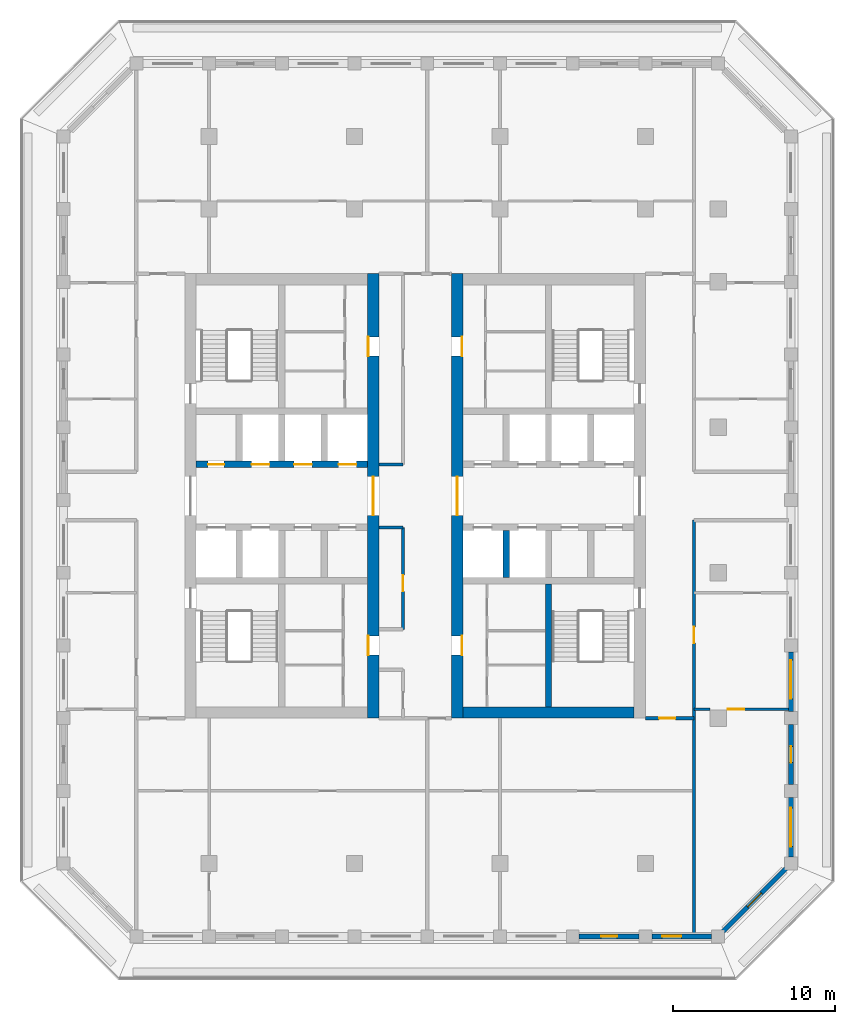
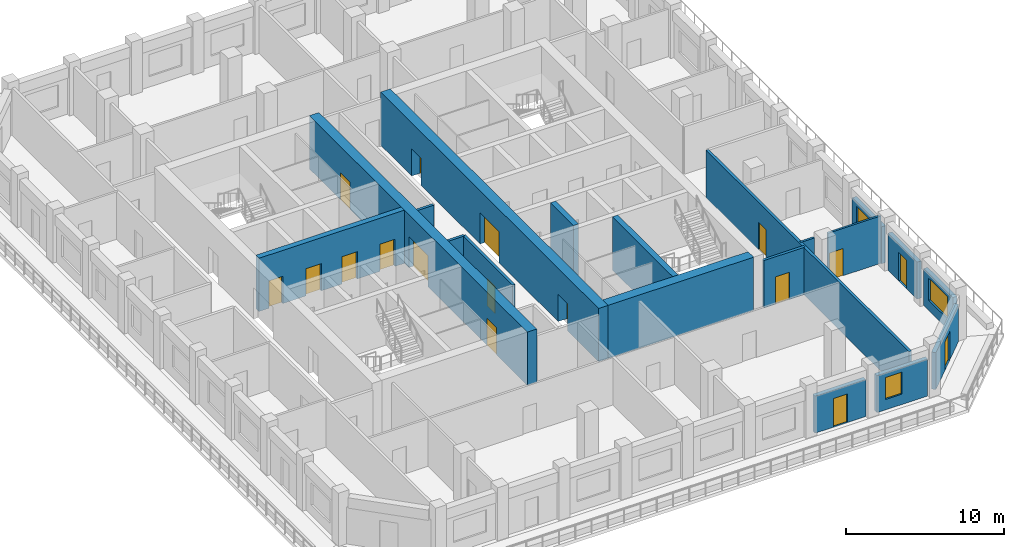
# One storey, part 4 of 17: 19 walls, 17 doors, 3 windows, 20 openings.
"""IFC4 building model written with IfcOpenShell, lengths in metres."""

from ifc_helpers import new_model, si_unit, direction, frame, frame_2d, origin, place, context, subcontext, project, spatial, rectangle, extrude, material, layer, layer_set, type_object, element, fill, save


model = new_model("IFC4")

# Units and contexts
model_context = context("Model", 3, precision=1e-05, world=origin(), true_north=direction((0.0, 1.0)))
body_context = subcontext(model_context, "Body", "Model", "MODEL_VIEW")
ifc_project = project(units=[si_unit("LENGTHUNIT", "METRE"), si_unit("AREAUNIT", "SQUARE_METRE"), si_unit("VOLUMEUNIT", "CUBIC_METRE"), si_unit("PLANEANGLEUNIT", "RADIAN"), si_unit("MASSUNIT", "GRAM", prefix="KILO")], contexts=[model_context])

# Site, building, storey
site_placement = place(None, origin())
site = spatial("IfcSite", under=ifc_project, at=site_placement, CompositionType="ELEMENT")
building_placement = place(site_placement, origin())
building = spatial("IfcBuilding", under=site, at=building_placement, Name="Corbel Stack Research Tower", CompositionType="ELEMENT")
storey_placement = place(building_placement, frame((0.0, 0.0, 252.10009765625)))
storey = spatial("IfcBuildingStorey", under=building, at=storey_placement, Name="L57", CompositionType="ELEMENT", Elevation=252.10009765625)

# Wall, openings, doors
ifc_material_1 = material(Name="Concrete C60/75", Category="concrete")
ifc_layer_1 = layer(ifc_material_1, 0.39990234375)
ifc_layer_set_1 = layer_set([ifc_layer_1], Name="Concrete C60/75")
wall_type_1 = type_object("IfcWallType", Name="CW-400-60", PredefinedType="SHEAR", material=ifc_layer_set_1)
wall_1_placement = place(storey_placement, frame((-9.800048828125, 6.699951171875, 0.0), z_axis=(0.0, 0.0, 1.0), x_axis=(1.0, 0.0, 0.0)))
wall_1 = element("IfcWall", 1, at=wall_1_placement, inside=storey, type_object=wall_type_1, Name="West core wall, lobby north L57", PredefinedType="SHEAR", context=body_context, shape_type="SweptSolid", body=[
    extrude(rectangle(XDim=10.60009765625, YDim=0.39990234375, at=frame_2d((5.300048828125, 0.0))), origin(), (0.0, 0.0, 1.0), 4.099853515625),
])
opening_1_placement = place(wall_1_placement, frame((3.4375, 0.0, 0.0)))
opening_1 = element("IfcOpeningElement", 2, at=opening_1_placement, cuts=wall_1, Name="Opening LD-HR1", PredefinedType="OPENING", context=body_context, shape_type="SweptSolid", body=[
    extrude(rectangle(XDim=1.10009765625, YDim=2.10009765625, at=frame_2d((0.550048828125, 1.050048828125))), frame((0.0, 0.2099609375, 0.0), z_axis=(0.0, -1.0, 0.0), x_axis=(1.0, 0.0, 0.0)), (0.0, 0.0, 1.0), 0.419921875),
])
opening_2_placement = place(wall_1_placement, frame((6.0625, 0.0, 0.0)))
opening_2 = element("IfcOpeningElement", 3, at=opening_2_placement, cuts=wall_1, Name="Opening LD-HR2", PredefinedType="OPENING", context=body_context, shape_type="SweptSolid", body=[
    extrude(rectangle(XDim=1.10009765625, YDim=2.10009765625, at=frame_2d((0.550048828125, 1.050048828125))), frame((0.0, 0.2099609375, 0.0), z_axis=(0.0, -1.0, 0.0), x_axis=(1.0, 0.0, 0.0)), (0.0, 0.0, 1.0), 0.419921875),
])
opening_3_placement = place(wall_1_placement, frame((8.8125, 0.0, 0.0)))
opening_3 = element("IfcOpeningElement", 4, at=opening_3_placement, cuts=wall_1, Name="Opening LD-HR3", PredefinedType="OPENING", context=body_context, shape_type="SweptSolid", body=[
    extrude(rectangle(XDim=1.10009765625, YDim=2.10009765625, at=frame_2d((0.550048828125, 1.050048828125))), frame((0.0, 0.2099609375, 0.0), z_axis=(0.0, -1.0, 0.0), x_axis=(1.0, 0.0, 0.0)), (0.0, 0.0, 1.0), 0.419921875),
])
opening_4_placement = place(wall_1_placement, frame((0.737548828125, 0.0, 0.0)))
opening_4 = element("IfcOpeningElement", 5, at=opening_4_placement, cuts=wall_1, Name="Opening CR-W12-N1", PredefinedType="OPENING", context=body_context, shape_type="SweptSolid", body=[
    extrude(rectangle(XDim=1.0, YDim=2.10009765625, at=frame_2d((0.5, 1.050048828125))), frame((0.0, 0.2099609375, 0.0), z_axis=(0.0, -1.0, 0.0), x_axis=(1.0, 0.0, 0.0)), (0.0, 0.0, 1.0), 0.419921875),
])
ifc_material_2 = material(Name="Stainless steel landing door", Category="steel")
door_type_1 = type_object("IfcDoorType", Name="Lift landing door 1100 x 2100", OperationType="DOUBLE_DOOR_SLIDING", PredefinedType="DOOR", material=ifc_material_2)
door_1_placement = place(opening_1_placement, origin())
door_1 = element("IfcDoor", 6, at=door_1_placement, inside=storey, type_object=door_type_1, Name="Landing door HR1", OperationType="DOUBLE_DOOR_SLIDING", OverallHeight=2.10009765625, OverallWidth=1.10009765625, PredefinedType="DOOR", context=body_context, shape_type="SweptSolid", body=[
    extrude(rectangle(XDim=1.10009765625, YDim=2.10009765625, at=frame_2d((0.550048828125, 1.050048828125))), frame((0.0, 0.02490234375, 0.0), z_axis=(0.0, -1.0, 0.0), x_axis=(1.0, 0.0, 0.0)), (0.0, 0.0, 1.0), 0.050048828125),
])
fill(opening_1, door_1)
door_2_placement = place(opening_2_placement, origin())
door_2 = element("IfcDoor", 7, at=door_2_placement, inside=storey, type_object=door_type_1, Name="Landing door HR2", OperationType="DOUBLE_DOOR_SLIDING", OverallHeight=2.10009765625, OverallWidth=1.10009765625, PredefinedType="DOOR", context=body_context, shape_type="SweptSolid", body=[
    extrude(rectangle(XDim=1.10009765625, YDim=2.10009765625, at=frame_2d((0.550048828125, 1.050048828125))), frame((0.0, 0.02490234375, 0.0), z_axis=(0.0, -1.0, 0.0), x_axis=(1.0, 0.0, 0.0)), (0.0, 0.0, 1.0), 0.050048828125),
])
fill(opening_2, door_2)
door_3_placement = place(opening_3_placement, origin())
door_3 = element("IfcDoor", 8, at=door_3_placement, inside=storey, type_object=door_type_1, Name="Landing door HR3", OperationType="DOUBLE_DOOR_SLIDING", OverallHeight=2.10009765625, OverallWidth=1.10009765625, PredefinedType="DOOR", context=body_context, shape_type="SweptSolid", body=[
    extrude(rectangle(XDim=1.10009765625, YDim=2.10009765625, at=frame_2d((0.550048828125, 1.050048828125))), frame((0.0, 0.02490234375, 0.0), z_axis=(0.0, -1.0, 0.0), x_axis=(1.0, 0.0, 0.0)), (0.0, 0.0, 1.0), 0.050048828125),
])
fill(opening_3, door_3)
ifc_material_3 = material(Name="Painted steel door", Category="steel")
door_type_2 = type_object("IfcDoorType", Name="Service door 1000 x 2100 FD60 left hand", OperationType="SINGLE_SWING_LEFT", PredefinedType="DOOR", material=ifc_material_3)
door_4_placement = place(opening_4_placement, origin())
door_4 = element("IfcDoor", 9, at=door_4_placement, inside=storey, type_object=door_type_2, Name="Electrical room door W core", OperationType="SINGLE_SWING_LEFT", OverallHeight=2.10009765625, OverallWidth=1.0, PredefinedType="DOOR", context=body_context, shape_type="SweptSolid", body=[
    extrude(rectangle(XDim=1.0, YDim=2.10009765625, at=frame_2d((0.5, 1.050048828125))), frame((0.0, 0.02490234375, 0.0), z_axis=(0.0, -1.0, 0.0), x_axis=(1.0, 0.0, 0.0)), (0.0, 0.0, 1.0), 0.050048828125),
])
fill(opening_4, door_4)

# Walls
wall_2_placement = place(storey_placement, frame((9.375, -0.300048828125, 0.0), z_axis=(0.0, 0.0, 1.0), x_axis=(0.0, 1.0, 0.0)))
element("IfcWall", 10, at=wall_2_placement, inside=storey, type_object=wall_type_1, Name="East core wall, south shaft 1 L57", PredefinedType="SHEAR", context=body_context, shape_type="SweptSolid", body=[
    extrude(rectangle(XDim=2.900146484375, YDim=0.39990234375, at=frame_2d((1.4501953125, 0.0))), origin(), (0.0, 0.0, 1.0), 4.099853515625),
])
wall_3_placement = place(storey_placement, frame((12.0, -8.300048828125, 0.0), z_axis=(0.0, 0.0, 1.0), x_axis=(0.0, 1.0, 0.0)))
element("IfcWall", 11, at=wall_3_placement, inside=storey, type_object=wall_type_1, Name="East core wall, south stair and WC L57", PredefinedType="SHEAR", context=body_context, shape_type="SweptSolid", body=[
    extrude(rectangle(XDim=7.60009765625, YDim=0.39990234375, at=frame_2d((3.800048828125, 0.0))), origin(), (0.0, 0.0, 1.0), 4.099853515625),
])

# Wall, openings, doors
ifc_material_4 = material(Name="Concrete C60/75", Category="concrete")
ifc_layer_2 = layer(ifc_material_4, 0.699951171875)
ifc_layer_set_2 = layer_set([ifc_layer_2], Name="Concrete C60/75")
wall_type_2 = type_object("IfcWallType", Name="CW-700-60", PredefinedType="SHEAR", material=ifc_layer_set_2)
wall_4_placement = place(storey_placement, frame((1.14990234375, -9.0, 0.0), z_axis=(0.0, 0.0, 1.0), x_axis=(0.0, 1.0, 0.0)))
wall_4 = element("IfcWall", 12, at=wall_4_placement, inside=storey, type_object=wall_type_2, Name="West core wall, east face L57", PredefinedType="SHEAR", context=body_context, shape_type="SweptSolid", body=[
    extrude(rectangle(XDim=27.5, YDim=0.699951171875, at=frame_2d((13.75, 0.0))), origin(), (0.0, 0.0, 1.0), 4.099853515625),
])
opening_5_placement = place(wall_4_placement, frame((12.550048828125, 0.0, 0.0)))
opening_5 = element("IfcOpeningElement", 13, at=opening_5_placement, cuts=wall_4, Name="Opening CD-W-E", PredefinedType="OPENING", context=body_context, shape_type="SweptSolid", body=[
    extrude(rectangle(XDim=2.39990234375, YDim=2.39990234375, at=frame_2d((1.199951171875, 1.199951171875))), frame((0.0, 0.35986328125, 0.0), z_axis=(0.0, -1.0, 0.0), x_axis=(1.0, 0.0, 0.0)), (0.0, 0.0, 1.0), 0.719970703125),
])
opening_6_placement = place(wall_4_placement, frame((3.89990234375, 0.0, 0.0)))
opening_6 = element("IfcOpeningElement", 14, at=opening_6_placement, cuts=wall_4, Name="Opening CR-W12-W1-1200", PredefinedType="OPENING", context=body_context, shape_type="SweptSolid", body=[
    extrude(rectangle(XDim=1.199951171875, YDim=2.10009765625, at=frame_2d((0.60009765625, 1.050048828125))), frame((0.0, 0.35986328125, 0.0), z_axis=(0.0, -1.0, 0.0), x_axis=(1.0, 0.0, 0.0)), (0.0, 0.0, 1.0), 0.719970703125),
])
opening_7_placement = place(wall_4_placement, frame((22.39990234375, 0.0, 0.0)))
opening_7 = element("IfcOpeningElement", 15, at=opening_7_placement, cuts=wall_4, Name="Opening CR-W12-R1-1200", PredefinedType="OPENING", context=body_context, shape_type="SweptSolid", body=[
    extrude(rectangle(XDim=1.199951171875, YDim=2.10009765625, at=frame_2d((0.60009765625, 1.050048828125))), frame((0.0, 0.35986328125, 0.0), z_axis=(0.0, -1.0, 0.0), x_axis=(1.0, 0.0, 0.0)), (0.0, 0.0, 1.0), 0.719970703125),
])
ifc_material_5 = material(Name="Painted steel fire door", Category="steel")
door_type_3 = type_object("IfcDoorType", Name="Lobby door pair 2400 x 2400 FD30S", OperationType="DOUBLE_DOOR_DOUBLE_SWING", PredefinedType="DOOR", material=ifc_material_5)
door_5_placement = place(opening_5_placement, origin())
door_5 = element("IfcDoor", 16, at=door_5_placement, inside=storey, type_object=door_type_3, Name="Lift lobby door W core E", OperationType="DOUBLE_DOOR_DOUBLE_SWING", OverallHeight=2.39990234375, OverallWidth=2.39990234375, PredefinedType="DOOR", context=body_context, shape_type="SweptSolid", body=[
    extrude(rectangle(XDim=2.39990234375, YDim=2.39990234375, at=frame_2d((1.199951171875, 1.199951171875))), frame((0.0, 0.02490234375, 0.0), z_axis=(0.0, -1.0, 0.0), x_axis=(1.0, 0.0, 0.0)), (0.0, 0.0, 1.0), 0.050048828125),
])
fill(opening_5, door_5)
ifc_material_6 = material(Name="Painted steel door", Category="steel")
door_type_4 = type_object("IfcDoorType", Name="Service door 1200 x 2100 FD30 left hand", OperationType="SINGLE_SWING_LEFT", PredefinedType="DOOR", material=ifc_material_6)
door_6_placement = place(opening_7_placement, origin())
door_6 = element("IfcDoor", 17, at=door_6_placement, inside=storey, type_object=door_type_4, Name="Service passage door W core", OperationType="SINGLE_SWING_LEFT", OverallHeight=2.10009765625, OverallWidth=1.199951171875, PredefinedType="DOOR", context=body_context, shape_type="SweptSolid", body=[
    extrude(rectangle(XDim=1.199951171875, YDim=2.10009765625, at=frame_2d((0.60009765625, 1.050048828125))), frame((0.0, 0.3251953125, 0.0), z_axis=(0.0, -1.0, 0.0), x_axis=(1.0, 0.0, 0.0)), (0.0, 0.0, 1.0), 0.050048828125),
])
fill(opening_7, door_6)
ifc_material_7 = material(Name="Painted timber door", Category="wood")
door_type_5 = type_object("IfcDoorType", Name="WC door 1200 x 2100 left hand", OperationType="SINGLE_SWING_LEFT", PredefinedType="DOOR", material=ifc_material_7)
door_7_placement = place(opening_6_placement, origin())
door_7 = element("IfcDoor", 18, at=door_7_placement, inside=storey, type_object=door_type_5, Name="WC lobby door W core", OperationType="SINGLE_SWING_LEFT", OverallHeight=2.10009765625, OverallWidth=1.199951171875, PredefinedType="DOOR", context=body_context, shape_type="SweptSolid", body=[
    extrude(rectangle(XDim=1.199951171875, YDim=2.10009765625, at=frame_2d((0.60009765625, 1.050048828125))), frame((0.0, 0.3251953125, 0.0), z_axis=(0.0, -1.0, 0.0), x_axis=(1.0, 0.0, 0.0)), (0.0, 0.0, 1.0), 0.050048828125),
])
fill(opening_6, door_7)

wall_5_placement = place(storey_placement, frame((6.35009765625, -9.0, 0.0), z_axis=(0.0, 0.0, 1.0), x_axis=(0.0, 1.0, 0.0)))
wall_5 = element("IfcWall", 19, at=wall_5_placement, inside=storey, type_object=wall_type_2, Name="East core wall, west face L57", PredefinedType="SHEAR", context=body_context, shape_type="SweptSolid", body=[
    extrude(rectangle(XDim=27.5, YDim=0.699951171875, at=frame_2d((13.75, 0.0))), origin(), (0.0, 0.0, 1.0), 4.099853515625),
])
opening_8_placement = place(wall_5_placement, frame((12.550048828125, 0.0, 0.0)))
opening_8 = element("IfcOpeningElement", 20, at=opening_8_placement, cuts=wall_5, Name="Opening CD-E-W", PredefinedType="OPENING", context=body_context, shape_type="SweptSolid", body=[
    extrude(rectangle(XDim=2.39990234375, YDim=2.39990234375, at=frame_2d((1.199951171875, 1.199951171875))), frame((0.0, 0.35986328125, 0.0), z_axis=(0.0, -1.0, 0.0), x_axis=(1.0, 0.0, 0.0)), (0.0, 0.0, 1.0), 0.719970703125),
])
opening_9_placement = place(wall_5_placement, frame((3.89990234375, 0.0, 0.0)))
opening_9 = element("IfcOpeningElement", 21, at=opening_9_placement, cuts=wall_5, Name="Opening CR-E12-W1-1200", PredefinedType="OPENING", context=body_context, shape_type="SweptSolid", body=[
    extrude(rectangle(XDim=1.199951171875, YDim=2.10009765625, at=frame_2d((0.60009765625, 1.050048828125))), frame((0.0, 0.35986328125, 0.0), z_axis=(0.0, -1.0, 0.0), x_axis=(1.0, 0.0, 0.0)), (0.0, 0.0, 1.0), 0.719970703125),
])
opening_10_placement = place(wall_5_placement, frame((22.39990234375, 0.0, 0.0)))
opening_10 = element("IfcOpeningElement", 22, at=opening_10_placement, cuts=wall_5, Name="Opening CR-E12-R1-1200", PredefinedType="OPENING", context=body_context, shape_type="SweptSolid", body=[
    extrude(rectangle(XDim=1.199951171875, YDim=2.10009765625, at=frame_2d((0.60009765625, 1.050048828125))), frame((0.0, 0.35986328125, 0.0), z_axis=(0.0, -1.0, 0.0), x_axis=(1.0, 0.0, 0.0)), (0.0, 0.0, 1.0), 0.719970703125),
])
door_8_placement = place(opening_8_placement, origin())
door_8 = element("IfcDoor", 23, at=door_8_placement, inside=storey, type_object=door_type_3, Name="Lift lobby door E core W", OperationType="DOUBLE_DOOR_DOUBLE_SWING", OverallHeight=2.39990234375, OverallWidth=2.39990234375, PredefinedType="DOOR", context=body_context, shape_type="SweptSolid", body=[
    extrude(rectangle(XDim=2.39990234375, YDim=2.39990234375, at=frame_2d((1.199951171875, 1.199951171875))), frame((0.0, 0.02490234375, 0.0), z_axis=(0.0, -1.0, 0.0), x_axis=(1.0, 0.0, 0.0)), (0.0, 0.0, 1.0), 0.050048828125),
])
fill(opening_8, door_8)
ifc_material_8 = material(Name="Painted steel door", Category="steel")
door_type_6 = type_object("IfcDoorType", Name="Service door 1200 x 2100 FD30 right hand", OperationType="SINGLE_SWING_RIGHT", PredefinedType="DOOR", material=ifc_material_8)
door_9_placement = place(opening_10_placement, origin())
door_9 = element("IfcDoor", 24, at=door_9_placement, inside=storey, type_object=door_type_6, Name="Service passage door E core", OperationType="SINGLE_SWING_RIGHT", OverallHeight=2.10009765625, OverallWidth=1.199951171875, PredefinedType="DOOR", context=body_context, shape_type="SweptSolid", body=[
    extrude(rectangle(XDim=1.199951171875, YDim=2.10009765625, at=frame_2d((0.60009765625, 1.050048828125))), frame((0.0, -0.27490234375, 0.0), z_axis=(0.0, -1.0, 0.0), x_axis=(1.0, 0.0, 0.0)), (0.0, 0.0, 1.0), 0.050048828125),
])
fill(opening_10, door_9)
ifc_material_9 = material(Name="Painted timber door", Category="wood")
door_type_7 = type_object("IfcDoorType", Name="WC door 1200 x 2100 right hand", OperationType="SINGLE_SWING_RIGHT", PredefinedType="DOOR", material=ifc_material_9)
door_10_placement = place(opening_9_placement, origin())
door_10 = element("IfcDoor", 25, at=door_10_placement, inside=storey, type_object=door_type_7, Name="WC lobby door E core", OperationType="SINGLE_SWING_RIGHT", OverallHeight=2.10009765625, OverallWidth=1.199951171875, PredefinedType="DOOR", context=body_context, shape_type="SweptSolid", body=[
    extrude(rectangle(XDim=1.199951171875, YDim=2.10009765625, at=frame_2d((0.60009765625, 1.050048828125))), frame((0.0, -0.27490234375, 0.0), z_axis=(0.0, -1.0, 0.0), x_axis=(1.0, 0.0, 0.0)), (0.0, 0.0, 1.0), 0.050048828125),
])
fill(opening_9, door_10)

# Wall
wall_6_placement = place(storey_placement, frame((6.699951171875, -8.64990234375, 0.0), z_axis=(0.0, 0.0, 1.0), x_axis=(1.0, 0.0, 0.0)))
element("IfcWall", 26, at=wall_6_placement, inside=storey, type_object=wall_type_2, Name="East core wall, south end L57", PredefinedType="SHEAR", context=body_context, shape_type="SweptSolid", body=[
    extrude(rectangle(XDim=10.60009765625, YDim=0.699951171875, at=frame_2d((5.300048828125, 0.0))), origin(), (0.0, 0.0, 1.0), 4.099853515625),
])

# Wall, opening, door
ifc_material_10 = material(Name="Fire-rated gypsum board partition on steel studs", Category="steel")
ifc_layer_3 = layer(ifc_material_10, 0.199951171875)
ifc_layer_set_3 = layer_set([ifc_layer_3], Name="Fire-rated gypsum board partition on steel studs")
wall_type_3 = type_object("IfcWallType", Name="Fire-rated partition 200 EI 60", PredefinedType="PARTITIONING", material=ifc_layer_set_3)
wall_7_placement = place(storey_placement, frame((3.0, -3.5, 0.0), z_axis=(0.0, 0.0, 1.0), x_axis=(0.0, 1.0, 0.0)))
wall_7 = element("IfcWall", 27, at=wall_7_placement, inside=storey, type_object=wall_type_3, Name="Partition L57-009", PredefinedType="PARTITIONING", context=body_context, shape_type="SweptSolid", body=[
    extrude(rectangle(XDim=6.300048828125, YDim=0.199951171875, at=frame_2d((3.14990234375, 0.0))), origin(), (0.0, 0.0, 1.0), 3.64990234375),
])
opening_11_placement = place(wall_7_placement, frame((2.35009765625, 0.0, 0.0)))
opening_11 = element("IfcOpeningElement", 28, at=opening_11_placement, cuts=wall_7, Name="Opening B7V1-016", PredefinedType="OPENING", context=body_context, shape_type="SweptSolid", body=[
    extrude(rectangle(XDim=1.0, YDim=2.10009765625, at=frame_2d((0.5, 1.050048828125))), frame((0.0, 0.10986328125, 0.0), z_axis=(0.0, -1.0, 0.0), x_axis=(1.0, 0.0, 0.0)), (0.0, 0.0, 1.0), 0.219970703125),
])
ifc_material_11 = material(Name="Painted steel fire door", Category="steel")
door_type_8 = type_object("IfcDoorType", Name="Fire door FD30S 1000 x 2100", OperationType="NOTDEFINED", PredefinedType="DOOR", material=ifc_material_11)
door_11_placement = place(opening_11_placement, origin())
door_11 = element("IfcDoor", 29, at=door_11_placement, inside=storey, type_object=door_type_8, Name="Door B7V1-016", OperationType="SINGLE_SWING_LEFT", OverallHeight=2.10009765625, OverallWidth=1.0, PredefinedType="DOOR", context=body_context, shape_type="SweptSolid", body=[
    extrude(rectangle(XDim=1.0, YDim=2.10009765625, at=frame_2d((0.5, 1.050048828125))), frame((0.0, 0.02490234375, 0.0), z_axis=(0.0, -1.0, 0.0), x_axis=(1.0, 0.0, 0.0)), (0.0, 0.0, 1.0), 0.050048828125),
])
fill(opening_11, door_11)

wall_8_placement = place(storey_placement, frame((21.0, 3.25, 0.0), z_axis=(0.0, 0.0, 1.0), x_axis=(0.0, -1.0, 0.0)))
wall_8 = element("IfcWall", 30, at=wall_8_placement, inside=storey, type_object=wall_type_3, Name="Partition L57-018", PredefinedType="PARTITIONING", context=body_context, shape_type="SweptSolid", body=[
    extrude(rectangle(XDim=25.60009765625, YDim=0.199951171875, at=frame_2d((12.800048828125, 0.0))), origin(), (0.0, 0.0, 1.0), 3.64990234375),
])
opening_12_placement = place(wall_8_placement, frame((6.60009765625, 0.0, 0.0)))
opening_12 = element("IfcOpeningElement", 31, at=opening_12_placement, cuts=wall_8, Name="Opening B7V1-026", PredefinedType="OPENING", context=body_context, shape_type="SweptSolid", body=[
    extrude(rectangle(XDim=1.0, YDim=2.10009765625, at=frame_2d((0.5, 1.050048828125))), frame((0.0, 0.10986328125, 0.0), z_axis=(0.0, -1.0, 0.0), x_axis=(1.0, 0.0, 0.0)), (0.0, 0.0, 1.0), 0.219970703125),
])
door_12_placement = place(opening_12_placement, origin())
door_12 = element("IfcDoor", 32, at=door_12_placement, inside=storey, type_object=door_type_8, Name="Door B7V1-026", OperationType="SINGLE_SWING_LEFT", OverallHeight=2.10009765625, OverallWidth=1.0, PredefinedType="DOOR", context=body_context, shape_type="SweptSolid", body=[
    extrude(rectangle(XDim=1.0, YDim=2.10009765625, at=frame_2d((0.5, 1.050048828125))), frame((0.0, 0.02490234375, 0.0), z_axis=(0.0, -1.0, 0.0), x_axis=(1.0, 0.0, 0.0)), (0.0, 0.0, 1.0), 0.050048828125),
])
fill(opening_12, door_12)

wall_9_placement = place(storey_placement, frame((21.0, -9.0, 0.0), z_axis=(0.0, 0.0, 1.0), x_axis=(-1.0, 0.0, 0.0)))
wall_9 = element("IfcWall", 33, at=wall_9_placement, inside=storey, type_object=wall_type_3, Name="Partition L57-023", PredefinedType="PARTITIONING", context=body_context, shape_type="SweptSolid", body=[
    extrude(rectangle(XDim=3.0, YDim=0.199951171875, at=frame_2d((1.5, 0.0))), origin(), (0.0, 0.0, 1.0), 3.64990234375),
])
opening_13_placement = place(wall_9_placement, frame((1.14990234375, 0.0, 0.0)))
opening_13 = element("IfcOpeningElement", 34, at=opening_13_placement, cuts=wall_9, Name="Opening B7V1-010", PredefinedType="OPENING", context=body_context, shape_type="SweptSolid", body=[
    extrude(rectangle(XDim=1.0, YDim=2.10009765625, at=frame_2d((0.5, 1.050048828125))), frame((0.0, 0.10986328125, 0.0), z_axis=(0.0, -1.0, 0.0), x_axis=(1.0, 0.0, 0.0)), (0.0, 0.0, 1.0), 0.219970703125),
])
door_13_placement = place(opening_13_placement, origin())
door_13 = element("IfcDoor", 35, at=door_13_placement, inside=storey, type_object=door_type_8, Name="Door B7V1-010", OperationType="SINGLE_SWING_RIGHT", OverallHeight=2.10009765625, OverallWidth=1.0, PredefinedType="DOOR", context=body_context, shape_type="SweptSolid", body=[
    extrude(rectangle(XDim=1.0, YDim=2.10009765625, at=frame_2d((0.5, 1.050048828125))), frame((0.0, 0.02490234375, 0.0), z_axis=(0.0, -1.0, 0.0), x_axis=(1.0, 0.0, 0.0)), (0.0, 0.0, 1.0), 0.050048828125),
])
fill(opening_13, door_13)

# Walls
for number, where, z_axis, x_axis, name in (
    (36, (1.5, 2.800048828125, 0.0), (0.0, 0.0, 1.0), (1.0, 0.0, 0.0), "Partition L57-031"),
    (37, (1.5, 6.699951171875, 0.0), (0.0, 0.0, 1.0), (1.0, 0.0, 0.0), "Partition L57-036"),
):
    element("IfcWall", number, at=place(storey_placement, frame(where, z_axis=z_axis, x_axis=x_axis)), inside=storey, type_object=wall_type_3, Name=name, PredefinedType="PARTITIONING", context=body_context, shape_type="SweptSolid", body=[
        extrude(rectangle(XDim=1.5, YDim=0.199951171875, at=frame_2d((0.75, 0.0))), origin(), (0.0, 0.0, 1.0), 3.64990234375),
    ])
ifc_material_12 = material(Name="Gypsum board partition on steel studs", Category="steel")
ifc_layer_4 = layer(ifc_material_12, 0.14990234375)
ifc_layer_set_4 = layer_set([ifc_layer_4], Name="Gypsum board partition on steel studs")
wall_type_4 = type_object("IfcWallType", Name="Partition 150", PredefinedType="PARTITIONING", material=ifc_layer_set_4)
wall_10_placement = place(storey_placement, frame((21.0, -8.449951171875, 0.0), z_axis=(0.0, 0.0, 1.0), x_axis=(1.0, 0.0, 0.0)))
element("IfcWall", 38, at=wall_10_placement, inside=storey, type_object=wall_type_4, Name="Partition L57-025", PredefinedType="PARTITIONING", context=body_context, shape_type="SweptSolid", body=[
    extrude(rectangle(XDim=1.0, YDim=0.14990234375, at=frame_2d((0.5, 0.0))), origin(), (0.0, 0.0, 1.0), 3.64990234375),
])

# Wall, opening, door
wall_11_placement = place(storey_placement, frame((26.85009765625, -8.449951171875, 0.0), z_axis=(0.0, 0.0, 1.0), x_axis=(-1.0, 0.0, 0.0)))
wall_11 = element("IfcWall", 39, at=wall_11_placement, inside=storey, type_object=wall_type_4, Name="Partition L57-026", PredefinedType="PARTITIONING", context=body_context, shape_type="SweptSolid", body=[
    extrude(rectangle(XDim=3.85009765625, YDim=0.14990234375, at=frame_2d((1.925048828125, 0.0))), origin(), (0.0, 0.0, 1.0), 3.64990234375),
])
opening_14_placement = place(wall_11_placement, frame((2.75, 0.0, 0.0)))
opening_14 = element("IfcOpeningElement", 40, at=opening_14_placement, cuts=wall_11, Name="Opening B7V1-012", PredefinedType="OPENING", context=body_context, shape_type="SweptSolid", body=[
    extrude(rectangle(XDim=1.0, YDim=2.10009765625, at=frame_2d((0.5, 1.050048828125))), frame((0.0, 0.0849609375, 0.0), z_axis=(0.0, -1.0, 0.0), x_axis=(1.0, 0.0, 0.0)), (0.0, 0.0, 1.0), 0.169921875),
])
ifc_material_13 = material(Name="Painted timber door", Category="wood")
door_type_9 = type_object("IfcDoorType", Name="Single door 1000 x 2100", OperationType="NOTDEFINED", PredefinedType="DOOR", material=ifc_material_13)
door_14_placement = place(opening_14_placement, origin())
door_14 = element("IfcDoor", 41, at=door_14_placement, inside=storey, type_object=door_type_9, Name="Door B7V1-012", OperationType="SINGLE_SWING_RIGHT", OverallHeight=2.10009765625, OverallWidth=1.0, PredefinedType="DOOR", context=body_context, shape_type="SweptSolid", body=[
    extrude(rectangle(XDim=1.0, YDim=2.10009765625, at=frame_2d((0.5, 1.050048828125))), frame((0.0, 0.02490234375, 0.0), z_axis=(0.0, -1.0, 0.0), x_axis=(1.0, 0.0, 0.0)), (0.0, 0.0, 1.0), 0.050048828125),
])
fill(opening_14, door_14)

ifc_material_14 = material(Name="Concrete C45/55", Category="concrete")
ifc_layer_5 = layer(ifc_material_14, 0.300048828125)
ifc_layer_set_5 = layer_set([ifc_layer_5], Name="Concrete C45/55")
wall_type_5 = type_object("IfcWallType", Name="Terracotta-faced concrete wall 300", PredefinedType="SOLIDWALL", material=ifc_layer_set_5)
wall_12_placement = place(storey_placement, frame((17.60009765625, -22.5, 0.0), z_axis=(0.0, 0.0, 1.0), x_axis=(-1.0, 0.0, 0.0)))
wall_12 = element("IfcWall", 42, at=wall_12_placement, inside=storey, type_object=wall_type_5, Name="Facade wall L57 S07", PredefinedType="SOLIDWALL", context=body_context, shape_type="SweptSolid", body=[
    extrude(rectangle(XDim=3.7001953125, YDim=0.300048828125, at=frame_2d((1.85009765625, 0.0))), origin(), (0.0, 0.0, 1.0), 2.849853515625),
])
opening_15_placement = place(wall_12_placement, frame((1.35009765625, 0.0, 0.0)))
opening_15 = element("IfcOpeningElement", 43, at=opening_15_placement, cuts=wall_12, Name="Opening L57-B02", PredefinedType="OPENING", context=body_context, shape_type="SweptSolid", body=[
    extrude(rectangle(XDim=1.0, YDim=2.199951171875, at=frame_2d((0.5, 1.10009765625))), frame((0.0, 0.159912109375, 0.0), z_axis=(0.0, -1.0, 0.0), x_axis=(1.0, 0.0, 0.0)), (0.0, 0.0, 1.0), 0.320068359375),
])
ifc_material_15 = material(Name="Aluminium frame, clear double glazing", Category="aluminium")
door_type_10 = type_object("IfcDoorType", Name="Balcony door BD1 1000 x 2200", OperationType="NOTDEFINED", PredefinedType="DOOR", material=ifc_material_15)
door_15_placement = place(opening_15_placement, origin())
door_15 = element("IfcDoor", 44, at=door_15_placement, inside=storey, type_object=door_type_10, Name="Balcony door L57-B02", OperationType="SINGLE_SWING_RIGHT", OverallHeight=2.199951171875, OverallWidth=1.0, PredefinedType="DOOR", context=body_context, shape_type="SweptSolid", body=[
    extrude(rectangle(XDim=1.0, YDim=2.199951171875, at=frame_2d((0.5, 1.10009765625))), frame((0.0, 0.02490234375, 0.0), z_axis=(0.0, -1.0, 0.0), x_axis=(1.0, 0.0, 0.0)), (0.0, 0.0, 1.0), 0.050048828125),
])
fill(opening_15, door_15)

# Wall, opening, window
wall_13_placement = place(storey_placement, frame((22.10009765625, -22.5, 0.0), z_axis=(0.0, 0.0, 1.0), x_axis=(-1.0, 0.0, 0.0)))
wall_13 = element("IfcWall", 45, at=wall_13_placement, inside=storey, type_object=wall_type_5, Name="Facade wall L57 S08", PredefinedType="SOLIDWALL", context=body_context, shape_type="SweptSolid", body=[
    extrude(rectangle(XDim=3.7001953125, YDim=0.300048828125, at=frame_2d((1.85009765625, 0.0))), origin(), (0.0, 0.0, 1.0), 2.849853515625),
])
opening_16_placement = place(wall_13_placement, frame((1.875, 0.0, 0.800048828125)))
opening_16 = element("IfcOpeningElement", 46, at=opening_16_placement, cuts=wall_13, Name="Opening W2", PredefinedType="OPENING", context=body_context, shape_type="SweptSolid", body=[
    extrude(rectangle(XDim=1.199951171875, YDim=1.699951171875, at=frame_2d((0.60009765625, 0.85009765625))), frame((0.0, 0.159912109375, 0.0), z_axis=(0.0, -1.0, 0.0), x_axis=(1.0, 0.0, 0.0)), (0.0, 0.0, 1.0), 0.320068359375),
])
ifc_material_16 = material(Name="Aluminium frame, clear double glazing", Category="aluminium")
window_type_1 = type_object("IfcWindowType", Name="Window W2 1200 x 1700", PartitioningType="SINGLE_PANEL", PredefinedType="WINDOW", material=ifc_material_16)
window_1_placement = place(opening_16_placement, origin())
window_1 = element("IfcWindow", 47, at=window_1_placement, inside=storey, type_object=window_type_1, Name="Window W2 L57 S08", OverallHeight=1.699951171875, OverallWidth=1.199951171875, PartitioningType="SINGLE_PANEL", PredefinedType="WINDOW", context=body_context, shape_type="SweptSolid", body=[
    extrude(rectangle(XDim=1.199951171875, YDim=1.699951171875, at=frame_2d((0.60009765625, 0.85009765625))), frame((0.0, 0.030029296875, 0.0), z_axis=(0.0, -1.0, 0.0), x_axis=(1.0, 0.0, 0.0)), (0.0, 0.0, 1.0), 0.06005859375),
])
fill(opening_16, window_1)

# Wall, opening, door
wall_14_placement = place(storey_placement, frame((26.7060546875, -18.2939453125, 0.0), z_axis=(0.0, 0.0, 1.0), x_axis=(-0.707106781187, -0.707106781187, 0.0)))
wall_14 = element("IfcWall", 48, at=wall_14_placement, inside=storey, type_object=wall_type_5, Name="Facade wall L57 SE01", PredefinedType="SOLIDWALL", context=body_context, shape_type="SweptSolid", body=[
    extrude(rectangle(XDim=5.532470703125, YDim=0.300048828125, at=frame_2d((2.76611328125, 0.0))), origin(), (0.0, 0.0, 1.0), 2.849853515625),
])
opening_17_placement = place(wall_14_placement, frame((2.166259765625, 0.0, 0.0)))
opening_17 = element("IfcOpeningElement", 49, at=opening_17_placement, cuts=wall_14, Name="Opening L57-B03", PredefinedType="OPENING", context=body_context, shape_type="SweptSolid", body=[
    extrude(rectangle(XDim=1.199951171875, YDim=2.199951171875, at=frame_2d((0.60009765625, 1.10009765625))), frame((0.0, 0.159912109375, 0.0), z_axis=(0.0, -1.0, 0.0), x_axis=(1.0, 0.0, 0.0)), (0.0, 0.0, 1.0), 0.320068359375),
])
ifc_material_17 = material(Name="Aluminium frame, clear double glazing", Category="aluminium")
door_type_11 = type_object("IfcDoorType", Name="Balcony door BD2 1200 x 2200", OperationType="NOTDEFINED", PredefinedType="DOOR", material=ifc_material_17)
door_16_placement = place(opening_17_placement, origin())
door_16 = element("IfcDoor", 50, at=door_16_placement, inside=storey, type_object=door_type_11, Name="Balcony door L57-B03", OperationType="SINGLE_SWING_RIGHT", OverallHeight=2.199951171875, OverallWidth=1.199951171875, PredefinedType="DOOR", context=body_context, shape_type="SweptSolid", body=[
    extrude(rectangle(XDim=1.199951171875, YDim=2.199951171875, at=frame_2d((0.60009765625, 1.10009765625))), frame((0.0, 0.02490234375, 0.0), z_axis=(0.0, -1.0, 0.0), x_axis=(1.0, 0.0, 0.0)), (0.0, 0.0, 1.0), 0.050048828125),
])
fill(opening_17, door_16)

# Wall, opening, window
wall_15_placement = place(storey_placement, frame((27.0, -13.89990234375, 0.0), z_axis=(0.0, 0.0, 1.0), x_axis=(0.0, -1.0, 0.0)))
wall_15 = element("IfcWall", 51, at=wall_15_placement, inside=storey, type_object=wall_type_5, Name="Facade wall L57 E01", PredefinedType="SOLIDWALL", context=body_context, shape_type="SweptSolid", body=[
    extrude(rectangle(XDim=3.7001953125, YDim=0.300048828125, at=frame_2d((1.85009765625, 0.0))), origin(), (0.0, 0.0, 1.0), 2.849853515625),
])
opening_18_placement = place(wall_15_placement, frame((0.64990234375, 0.0, 0.800048828125)))
opening_18 = element("IfcOpeningElement", 52, at=opening_18_placement, cuts=wall_15, Name="Opening W1", PredefinedType="OPENING", context=body_context, shape_type="SweptSolid", body=[
    extrude(rectangle(XDim=2.39990234375, YDim=1.699951171875, at=frame_2d((1.199951171875, 0.85009765625))), frame((0.0, 0.159912109375, 0.0), z_axis=(0.0, -1.0, 0.0), x_axis=(1.0, 0.0, 0.0)), (0.0, 0.0, 1.0), 0.320068359375),
])
ifc_material_18 = material(Name="Aluminium frame, clear double glazing", Category="aluminium")
window_type_2 = type_object("IfcWindowType", Name="Window W1 2400 x 1700", PartitioningType="SINGLE_PANEL", PredefinedType="WINDOW", material=ifc_material_18)
window_2_placement = place(opening_18_placement, origin())
window_2 = element("IfcWindow", 53, at=window_2_placement, inside=storey, type_object=window_type_2, Name="Window W1 L57 E01", OverallHeight=1.699951171875, OverallWidth=2.39990234375, PartitioningType="SINGLE_PANEL", PredefinedType="WINDOW", context=body_context, shape_type="SweptSolid", body=[
    extrude(rectangle(XDim=2.39990234375, YDim=1.699951171875, at=frame_2d((1.199951171875, 0.85009765625))), frame((0.0, 0.030029296875, 0.0), z_axis=(0.0, -1.0, 0.0), x_axis=(1.0, 0.0, 0.0)), (0.0, 0.0, 1.0), 0.06005859375),
])
fill(opening_18, window_2)

# Wall, opening, door
wall_16_placement = place(storey_placement, frame((27.0, -9.39990234375, 0.0), z_axis=(0.0, 0.0, 1.0), x_axis=(0.0, -1.0, 0.0)))
wall_16 = element("IfcWall", 54, at=wall_16_placement, inside=storey, type_object=wall_type_5, Name="Facade wall L57 E02", PredefinedType="SOLIDWALL", context=body_context, shape_type="SweptSolid", body=[
    extrude(rectangle(XDim=3.7001953125, YDim=0.300048828125, at=frame_2d((1.85009765625, 0.0))), origin(), (0.0, 0.0, 1.0), 2.849853515625),
])
opening_19_placement = place(wall_16_placement, frame((1.35009765625, 0.0, 0.0)))
opening_19 = element("IfcOpeningElement", 55, at=opening_19_placement, cuts=wall_16, Name="Opening L57-B04", PredefinedType="OPENING", context=body_context, shape_type="SweptSolid", body=[
    extrude(rectangle(XDim=1.0, YDim=2.199951171875, at=frame_2d((0.5, 1.10009765625))), frame((0.0, 0.159912109375, 0.0), z_axis=(0.0, -1.0, 0.0), x_axis=(1.0, 0.0, 0.0)), (0.0, 0.0, 1.0), 0.320068359375),
])
door_17_placement = place(opening_19_placement, origin())
door_17 = element("IfcDoor", 56, at=door_17_placement, inside=storey, type_object=door_type_10, Name="Balcony door L57-B04", OperationType="SINGLE_SWING_LEFT", OverallHeight=2.199951171875, OverallWidth=1.0, PredefinedType="DOOR", context=body_context, shape_type="SweptSolid", body=[
    extrude(rectangle(XDim=1.0, YDim=2.199951171875, at=frame_2d((0.5, 1.10009765625))), frame((0.0, 0.02490234375, 0.0), z_axis=(0.0, -1.0, 0.0), x_axis=(1.0, 0.0, 0.0)), (0.0, 0.0, 1.0), 0.050048828125),
])
fill(opening_19, door_17)

# Wall, opening, window
wall_17_placement = place(storey_placement, frame((27.0, -4.89990234375, 0.0), z_axis=(0.0, 0.0, 1.0), x_axis=(0.0, -1.0, 0.0)))
wall_17 = element("IfcWall", 57, at=wall_17_placement, inside=storey, type_object=wall_type_5, Name="Facade wall L57 E03", PredefinedType="SOLIDWALL", context=body_context, shape_type="SweptSolid", body=[
    extrude(rectangle(XDim=3.7001953125, YDim=0.300048828125, at=frame_2d((1.85009765625, 0.0))), origin(), (0.0, 0.0, 1.0), 2.849853515625),
])
opening_20_placement = place(wall_17_placement, frame((0.512451171875, 0.0, 0.800048828125)))
opening_20 = element("IfcOpeningElement", 58, at=opening_20_placement, cuts=wall_17, Name="Opening W1", PredefinedType="OPENING", context=body_context, shape_type="SweptSolid", body=[
    extrude(rectangle(XDim=2.39990234375, YDim=1.699951171875, at=frame_2d((1.199951171875, 0.85009765625))), frame((0.0, 0.159912109375, 0.0), z_axis=(0.0, -1.0, 0.0), x_axis=(1.0, 0.0, 0.0)), (0.0, 0.0, 1.0), 0.320068359375),
])
window_3_placement = place(opening_20_placement, origin())
window_3 = element("IfcWindow", 59, at=window_3_placement, inside=storey, type_object=window_type_2, Name="Window W1 L57 E03", OverallHeight=1.699951171875, OverallWidth=2.39990234375, PartitioningType="SINGLE_PANEL", PredefinedType="WINDOW", context=body_context, shape_type="SweptSolid", body=[
    extrude(rectangle(XDim=2.39990234375, YDim=1.699951171875, at=frame_2d((1.199951171875, 0.85009765625))), frame((0.0, 0.030029296875, 0.0), z_axis=(0.0, -1.0, 0.0), x_axis=(1.0, 0.0, 0.0)), (0.0, 0.0, 1.0), 0.06005859375),
])
fill(opening_20, window_3)

save(model, "model.ifc")
